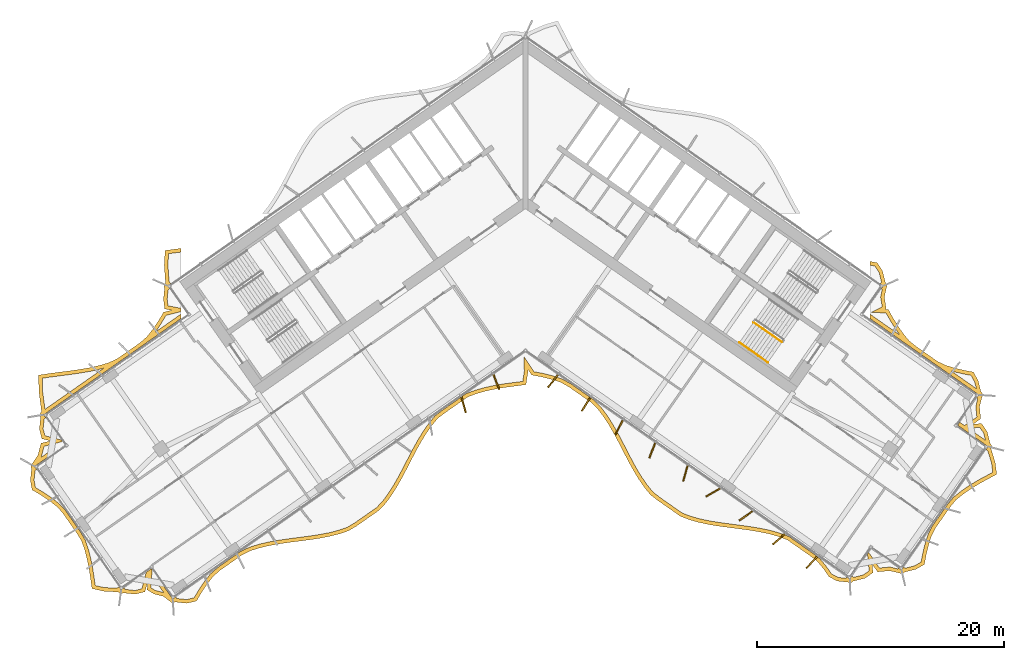
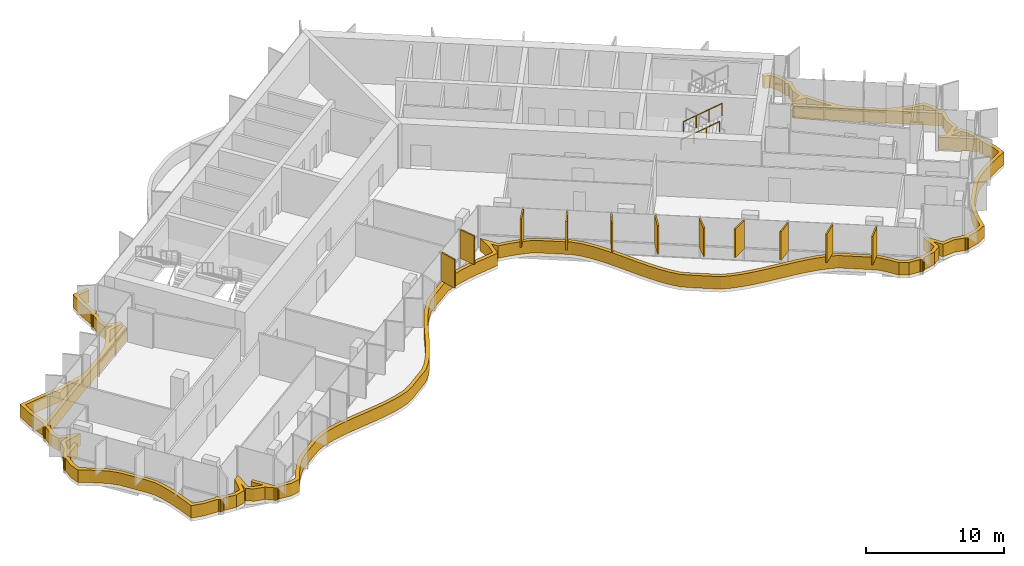
# One storey, part 19 of 21: 12 shading devices, 2 railings.
"""IFC4 building model written with IfcOpenShell, lengths in metres."""

from ifc_helpers import new_model, si_unit, direction, frame, origin, origin_2d, place, context, subcontext, project, spatial, polyline, rectangle, circle, outline, extrude, material, layer, layer_set, type_object, element, save


model = new_model("IFC4")

# Units and contexts
model_context = context("Model", 3, precision=1e-05, world=origin(), true_north=direction((0.0, 1.0)))
body_context = subcontext(model_context, "Body", "Model", "MODEL_VIEW")
ifc_project = project(units=[si_unit("LENGTHUNIT", "METRE"), si_unit("AREAUNIT", "SQUARE_METRE"), si_unit("VOLUMEUNIT", "CUBIC_METRE"), si_unit("PLANEANGLEUNIT", "RADIAN"), si_unit("MASSUNIT", "GRAM", prefix="KILO")], contexts=[model_context])

# Site, building, storey
site_placement = place(None, origin())
site = spatial("IfcSite", under=ifc_project, at=site_placement, CompositionType="ELEMENT")
building_placement = place(site_placement, origin())
building = spatial("IfcBuilding", under=site, at=building_placement, Name="Tel Ilan Convention Tower", CompositionType="ELEMENT")
storey_placement = place(building_placement, frame((0.0, 0.0, 147.60009765625)))
storey = spatial("IfcBuildingStorey", under=building, at=storey_placement, Name="L33", CompositionType="ELEMENT", Elevation=147.60009765625)

# Shading devices
ifc_material_1 = material(Name="Aluminium, bronze anodised", Category="aluminium")
ifc_layer_1 = layer(ifc_material_1, 0.1201171875)
ifc_layer_set_1 = layer_set([ifc_layer_1], Name="FIN BRONZE 1300x120")
shading_device_type_1 = type_object("IfcShadingDeviceType", Name="FIN BRONZE 1300x120", PredefinedType="USERDEFINED", material=ifc_layer_set_1)
for number, where, z_axis, x_axis, name in (
    (1, (-5.004638671875, -17.094482421875, 1.099853515625), (0.0, 0.0, 1.0), (0.268172612768, -0.963370878614, 0.0), "FIN"),
    (2, (-2.35302734375, -15.2529296875, 1.099853515625), (0.0, 0.0, 1.0), (0.360177724803, -0.932883704733, 0.0), "FIN"),
    (3, (2.2255859375, -15.172119140625, 1.099853515625), (0.0, 0.0, 1.0), (-0.612600545196, -0.790392669516, 0.0), "FIN"),
    (4, (4.90234375, -17.04638671875, 1.099853515625), (0.0, 0.0, 1.0), (-0.533204432798, -0.845986425922, 0.0), "FIN"),
    (5, (7.5791015625, -18.920166015625, 1.099853515625), (0.0, 0.0, 1.0), (-0.448799180206, -0.893632640321, 0.0), "FIN"),
    (6, (10.2587890625, -20.78857421875, 1.099853515625), (0.0, 0.0, 1.0), (-0.360177724803, -0.932883704733, 0.0), "FIN"),
    (7, (12.9404296875, -22.651123046875, 1.099853515625), (0.0, 0.0, 1.0), (-0.268172612768, -0.963370878614, 0.0), "FIN"),
    (8, (15.174072265625, -24.192626953125, 1.099853515625), (0.0, 0.0, 1.0), (-0.866025403784, -0.5, 0.0), "FIN"),
    (9, (17.83642578125, -26.079345703125, 1.099853515625), (0.0, 0.0, 1.0), (-0.813552070258, -0.581492071294, 0.0), "FIN"),
    (10, (20.50390625, -27.96240234375, 1.099853515625), (0.0, 0.0, 1.0), (-0.753435896329, -0.657521368568, 0.0), "FIN"),
    (11, (23.176025390625, -29.84130859375, 1.099853515625), (0.0, 0.0, 1.0), (-0.686241637865, -0.727373641577, 0.0), "FIN"),
):
    element("IfcShadingDevice", number, at=place(storey_placement, frame(where, z_axis=z_axis, x_axis=x_axis)), inside=storey, type_object=shading_device_type_1, Name=name, ObjectType="FIN", PredefinedType="USERDEFINED", context=body_context, shape_type="SweptSolid", body=[
        extrude(rectangle(XDim=1.300048828125, YDim=0.1201171875, at=origin_2d()), origin(), (0.0, 0.0, 1.0), 2.52001953125),
    ])
ifc_material_2 = material(Name="Aluminium, bronze anodised", Category="aluminium")
ifc_layer_2 = layer(ifc_material_2, 0.300048828125)
ifc_layer_set_2 = layer_set([ifc_layer_2], Name="LOUVRE BAND 300x1100")
shading_device_type_2 = type_object("IfcShadingDeviceType", Name="LOUVRE BAND 300x1100", PredefinedType="USERDEFINED", material=ifc_layer_set_2)
shading_device_placement = place(storey_placement, origin())
element("IfcShadingDevice", 12, at=shading_device_placement, inside=storey, type_object=shading_device_type_2, Name="LOUVRE BAND 27.01", ObjectType="LOUVRE", PredefinedType="USERDEFINED", context=body_context, shape_type="SweptSolid", body=[
    extrude(outline(polyline([(-40.0625, -23.190673828125), (-39.92822265625, -23.97265625), (-39.250732421875, -24.374267578125), (-38.60546875, -24.798583984375), (-38.006591796875, -25.25537109375), (-37.49755859375, -25.77490234375), (-36.2626953125, -27.53857421875), (-35.8984375, -28.15966796875), (-35.6572265625, -28.86669921875), (-35.46484375, -29.608154296875), (-35.312744140625, -30.377685546875), (-35.189697265625, -31.167724609375), (-35.07666015625, -31.964599609375), (-34.1298828125, -32.177734375), (-32.96484375, -32.238037109375), (-32.93603515625, -32.281494140625), (-32.838623046875, -32.346435546875), (-32.723876953125, -32.369384765625), (-32.609130859375, -32.346435546875), (-32.554931640625, -32.310302734375), (-31.562744140625, -32.420166015625), (-30.788818359375, -32.2177734375), (-30.573974609375, -31.399658203125), (-30.615234375, -32.057861328125), (-30.059814453125, -32.4013671875), (-29.2880859375, -32.593505859375), (-28.79150390625, -32.97802734375), (-28.786865234375, -32.974853515625), (-28.7578125, -33.01806640625), (-28.660400390625, -33.083251953125), (-28.545654296875, -33.10595703125), (-28.430908203125, -33.083251953125), (-28.376953125, -33.047119140625), (-27.396728515625, -33.154296875), (-26.6201171875, -32.970703125), (-26.2060546875, -32.269287109375), (-25.76416015625, -31.607666015625), (-25.286865234375, -30.996826171875), (-24.7294921875, -30.500244140625), (-22.907470703125, -29.224365234375), (-22.2314453125, -28.89697265625), (-21.48779296875, -28.666259765625), (-20.7099609375, -28.484619140625), (-19.905029296875, -28.34130859375), (-19.08251953125, -28.2236328125), (-17.421875, -28.009765625), (-16.60400390625, -27.885009765625), (-15.80712890625, -27.73046875), (-15.039794921875, -27.533935546875), (-14.308837890625, -27.284912109375), (-13.6689453125, -26.906005859375), (-11.846923828125, -25.63037109375), (-11.327880859375, -25.078857421875), (-10.86279296875, -24.4501953125), (-10.43115234375, -23.7744140625), (-10.024658203125, -23.06201171875), (-9.634765625, -22.326171875), (-8.864990234375, -20.84033203125), (-8.46533203125, -20.118408203125), (-8.043212890625, -19.428466796875), (-7.59033203125, -18.782470703125), (-7.10009765625, -18.190185546875), (-6.5087890625, -17.741943359375), (-4.686767578125, -16.466064453125), (-3.97021484375, -16.19677734375), (-3.214599609375, -15.983154296875), (-2.427001953125, -15.8154296875), (-1.615234375, -15.681884765625), (0.04248046875, -15.464111328125), (0.2060546875, -14.405029296875), (0.201416015625, -14.22314453125), (0.51220703125, -14.685546875), (1.31689453125, -14.835693359375), (2.093017578125, -15.0263671875), (2.833251953125, -15.268798828125), (3.490966796875, -15.62890625), (5.322509765625, -16.9111328125), (5.858154296875, -17.445556640625), (6.329833984375, -18.071533203125), (6.76708984375, -18.74658203125), (7.177734375, -19.45947265625), (7.57080078125, -20.197509765625), (8.343994140625, -21.69189453125), (8.744384765625, -22.41943359375), (9.166748046875, -23.11572265625), (9.61962890625, -23.768310546875), (10.110107421875, -24.3671875), (10.698486328125, -24.826171875), (12.530029296875, -26.108642578125), (13.245361328125, -26.386474609375), (14.003662109375, -26.602783203125), (14.794677734375, -26.7724609375), (15.610107421875, -26.9072265625), (18.10791015625, -27.238525390625), (18.924072265625, -27.3720703125), (19.716064453125, -27.54052734375), (20.475830078125, -27.7548828125), (21.19580078125, -28.02587890625), (23.02734375, -29.308349609375), (23.619384765625, -29.76220703125), (24.111328125, -30.35888671875), (24.565673828125, -31.009765625), (25.2314453125, -31.358154296875), (26.083251953125, -31.441162109375), (26.13720703125, -31.47705078125), (26.251953125, -31.5), (26.366943359375, -31.47705078125), (26.464111328125, -31.412109375), (26.4931640625, -31.368896484375), (27.463134765625, -31.132568359375), (28.12109375, -30.677734375), (28.056396484375, -29.976806640625), (28.4951171875, -30.611572265625), (29.47412109375, -30.52099609375), (30.258056640625, -30.708984375), (30.261474609375, -30.704345703125), (30.3154296875, -30.740478515625), (30.43017578125, -30.76318359375), (30.544921875, -30.740478515625), (30.642333984375, -30.67529296875), (30.67138671875, -30.632080078125), (31.5947265625, -30.402587890625), (32.283447265625, -30.0087890625), (32.42919921875, -29.234619140625), (32.607177734375, -28.483154296875), (32.83154296875, -27.764404296875), (33.145751953125, -27.108154296875), (34.380615234375, -25.344482421875), (34.83984375, -24.7900390625), (35.421630859375, -24.3212890625), (36.052734375, -23.88720703125), (36.7236328125, -23.48095703125), (37.423828125, -23.09521484375), (38.134033203125, -22.71630859375), (38.010498046875, -21.753662109375), (37.6689453125, -20.638427734375), (37.705078125, -20.58447265625), (37.727783203125, -20.4697265625), (37.705078125, -20.354736328125), (37.639892578125, -20.257568359375), (37.5966796875, -20.228515625), (37.3603515625, -19.258544921875), (36.905517578125, -18.6005859375), (36.20458984375, -18.665283203125), (36.839599609375, -18.2265625), (36.748779296875, -17.24755859375), (36.936767578125, -16.463623046875), (36.93212890625, -16.460205078125), (36.96826171875, -16.40625), (36.9912109375, -16.29150390625), (36.96826171875, -16.1767578125), (36.9033203125, -16.079345703125), (36.85986328125, -16.05029296875), (36.63134765625, -15.134521484375), (36.246826171875, -14.44140625), (35.47900390625, -14.2958984375), (34.732177734375, -14.1201171875), (34.017333984375, -13.899169921875), (33.361328125, -13.59375), (31.6103515625, -12.36767578125), (31.052978515625, -11.921630859375), (30.5849609375, -11.347900390625), (30.151123046875, -10.72509765625), (29.74560546875, -10.06201171875), (29.356201171875, -9.3759765625), (29.132080078125, -9.36474609375), (29.19384765625, -9.332763671875), (29.044921875, -8.373779296875), (29.20458984375, -7.631103515625), (29.199951171875, -7.6279296875), (29.236083984375, -7.57373046875), (29.2587890625, -7.458984375), (29.236083984375, -7.34423828125), (29.1708984375, -7.246826171875), (29.127685546875, -7.218017578125), (28.894287109375, -6.267333984375), (28.465576171875, -5.595458984375), (27.874755859375, -5.485595703125), (27.874755859375, -5.790771484375), (28.28271484375, -5.86669921875), (28.614990234375, -6.387451171875), (28.806640625, -7.1533203125), (28.713134765625, -7.286865234375), (28.958740234375, -7.458984375), (28.787353515625, -7.705322265625), (28.869384765625, -7.7626953125), (28.73974609375, -8.364990234375), (28.8642578125, -9.165283203125), (28.0048828125, -9.60888671875), (29.1767578125, -9.66748046875), (29.4873046875, -10.21435546875), (29.89990234375, -10.88916015625), (30.281494140625, -11.43701171875), (27.874755859375, -9.751953125), (27.874755859375, -10.1181640625), (36.691162109375, -16.29150390625), (36.51904296875, -16.537109375), (36.597412109375, -16.592041015625), (36.445556640625, -17.225830078125), (36.524658203125, -18.07958984375), (35.524658203125, -18.770751953125), (35.142578125, -18.503173828125), (34.970458984375, -18.748779296875), (37.427734375, -20.4697265625), (37.255859375, -20.71533203125), (37.41650390625, -20.827880859375), (37.716064453125, -21.816650390625), (37.810302734375, -22.549072265625), (36.573486328125, -23.22119140625), (35.889892578125, -23.635009765625), (35.2421875, -24.08056640625), (34.6279296875, -24.575439453125), (34.141845703125, -25.16259765625), (32.8857421875, -26.956298828125), (32.551513671875, -27.654296875), (32.317626953125, -28.40380859375), (32.1357421875, -29.17236328125), (32.014404296875, -29.817138671875), (31.481201171875, -30.121826171875), (30.7353515625, -30.310791015625), (30.602294921875, -30.217529296875), (30.43017578125, -30.46337890625), (30.18408203125, -30.291748046875), (30.129638671875, -30.36962890625), (29.495849609375, -30.2177734375), (28.64208984375, -30.296875), (27.76904296875, -29.03369140625), (27.679443359375, -29.161376953125), (27.806396484375, -30.530517578125), (27.337646484375, -30.8544921875), (26.55810546875, -31.048095703125), (26.424072265625, -30.954345703125), (26.251953125, -31.199951171875), (26.005859375, -31.028564453125), (25.935302734375, -31.129150390625), (25.319580078125, -31.065673828125), (24.76953125, -30.77783203125), (24.3505859375, -30.177490234375), (23.8291015625, -29.544921875), (23.204833984375, -29.06640625), (21.3369140625, -27.758544921875), (20.569580078125, -27.469482421875), (19.7880859375, -27.2490234375), (18.9794921875, -27.077392578125), (18.15234375, -26.941650390625), (15.65478515625, -26.610595703125), (14.8505859375, -26.477783203125), (14.076416015625, -26.3115234375), (13.341064453125, -26.101806640625), (12.67236328125, -25.842041015625), (10.876953125, -24.5849609375), (10.321044921875, -24.1513671875), (9.859375, -23.58740234375), (9.41845703125, -22.9521484375), (9.004150390625, -22.269287109375), (8.608642578125, -21.55029296875), (7.83642578125, -20.058349609375), (7.440185546875, -19.31396484375), (7.02294921875, -18.590087890625), (6.575927734375, -17.8994140625), (6.085205078125, -17.248046875), (5.515869140625, -16.680419921875), (3.649658203125, -15.37353515625), (2.953125, -14.9921875), (2.17578125, -14.73779296875), (1.380126953125, -14.542236328125), (0.69091796875, -14.41357421875), (-0.12451171875, -13.200439453125), (-0.0947265625, -14.3857421875), (-0.219482421875, -15.19482421875), (-1.659912109375, -15.38525390625), (-2.482666015625, -15.5205078125), (-3.286865234375, -15.691650390625), (-4.06396484375, -15.911376953125), (-4.827880859375, -16.198486328125), (-6.685546875, -17.49951171875), (-7.308837890625, -17.97216796875), (-7.8291015625, -18.6005859375), (-8.294189453125, -19.263916015625), (-8.724609375, -19.96728515625), (-9.12939453125, -20.6982421875), (-9.900634765625, -22.1875), (-10.28759765625, -22.91748046875), (-10.68798828125, -23.619140625), (-11.110107421875, -24.280029296875), (-11.55859375, -24.88623046875), (-12.044189453125, -25.40234375), (-13.831787109375, -26.65380859375), (-14.43505859375, -27.010986328125), (-15.12548828125, -27.24609375), (-15.873046875, -27.437744140625), (-16.6552734375, -27.58935546875), (-17.4638671875, -27.712646484375), (-19.12255859375, -27.92626953125), (-19.95263671875, -28.045166015625), (-20.770263671875, -28.190673828125), (-21.56640625, -28.376708984375), (-22.341796875, -28.6171875), (-23.059814453125, -28.96484375), (-24.916015625, -30.264404296875), (-25.506591796875, -30.790771484375), (-26.007568359375, -31.431884765625), (-26.460205078125, -32.109619140625), (-26.8134765625, -32.708251953125), (-27.416015625, -32.8505859375), (-28.206298828125, -32.767578125), (-28.2998046875, -32.634033203125), (-28.545654296875, -32.805908203125), (-29.57861328125, -31.3310546875), (-29.82421875, -31.5029296875), (-29.27490234375, -32.28759765625), (-29.94189453125, -32.12158203125), (-30.3046875, -31.897216796875), (-30.21240234375, -30.42578125), (-30.266357421875, -30.3486328125), (-30.685302734375, -30.641845703125), (-31.034423828125, -31.971923828125), (-31.58544921875, -32.115966796875), (-32.38427734375, -32.03125), (-32.4775390625, -31.89794921875), (-32.723876953125, -32.0693359375), (-32.89599609375, -31.823486328125), (-33.056640625, -31.93603515625), (-34.08837890625, -31.87939453125), (-34.80859375, -31.71728515625), (-35.017333984375, -30.325439453125), (-35.17236328125, -29.54150390625), (-35.36962890625, -28.780517578125), (-35.624267578125, -28.033935546875), (-36.010009765625, -27.376220703125), (-37.265869140625, -25.58251953125), (-37.807373046875, -25.02978515625), (-38.431884765625, -24.5537109375), (-39.091796875, -24.119873046875), (-39.656005859375, -23.78515625), (-39.760009765625, -23.18017578125), (-39.6826171875, -22.41455078125), (-39.54931640625, -22.3212890625), (-39.721435546875, -22.07568359375), (-38.288330078125, -21.072021484375), (-38.460205078125, -20.826416015625), (-39.223388671875, -21.360595703125), (-39.171142578125, -21.28173828125), (-38.953369140625, -20.452392578125), (-37.4677734375, -20.06396484375), (-37.557373046875, -19.93603515625), (-38.88720703125, -19.5869140625), (-39.031494140625, -19.035888671875), (-38.946533203125, -18.237060546875), (-38.812744140625, -18.143310546875), (-38.98486328125, -17.8974609375), (-27.874755859375, -10.1181640625), (-27.874755859375, -9.751953125), (-29.952392578125, -11.20654296875), (-29.906005859375, -11.14794921875), (-29.44873046875, -10.4658203125), (-29.09033203125, -9.859375), (-27.874755859375, -9.551025390625), (-27.874755859375, -9.287353515625), (-28.923828125, -9.080322265625), (-28.992431640625, -8.5439453125), (-28.91943359375, -7.797607421875), (-28.787353515625, -7.705322265625), (-28.958740234375, -7.458984375), (-28.713134765625, -7.286865234375), (-28.83740234375, -7.109375), (-28.93115234375, -5.783447265625), (-28.876953125, -4.86572265625), (-27.874755859375, -4.735107421875), (-27.874755859375, -4.4326171875), (-29.161865234375, -4.60107421875), (-29.231689453125, -5.78515625), (-29.127685546875, -7.218017578125), (-29.1708984375, -7.246826171875), (-29.236083984375, -7.34423828125), (-29.2587890625, -7.458984375), (-29.236083984375, -7.57373046875), (-29.199951171875, -7.6279296875), (-29.29443359375, -8.548583984375), (-29.19384765625, -9.332763671875), (-28.654541015625, -9.439208984375), (-29.284912109375, -9.59912109375), (-29.70263671875, -10.305908203125), (-30.14892578125, -10.971435546875), (-30.631591796875, -11.5849609375), (-31.197998046875, -12.078857421875), (-33.03466796875, -13.364990234375), (-33.72509765625, -13.68212890625), (-34.477783203125, -13.91015625), (-35.2646484375, -14.089111328125), (-36.078125, -14.23046875), (-36.90869140625, -14.34716796875), (-38.58203125, -14.563720703125), (-39.404052734375, -14.692626953125), (-39.369873046875, -16.044677734375), (-39.153564453125, -17.656494140625), (-39.19677734375, -17.685302734375), (-39.261962890625, -17.78271484375), (-39.28466796875, -17.8974609375), (-39.261962890625, -18.01220703125), (-39.225830078125, -18.066162109375), (-39.33544921875, -19.05859375), (-39.133056640625, -19.83251953125), (-38.452392578125, -20.01123046875), (-39.19921875, -20.20654296875), (-39.44873046875, -21.157470703125), (-39.8935546875, -21.829833984375), (-39.890380859375, -21.83447265625), (-39.93359375, -21.863525390625), (-39.99853515625, -21.9609375), (-40.021484375, -22.07568359375), (-39.99853515625, -22.1904296875), (-39.962646484375, -22.244384765625), (-40.0625, -23.190673828125)]), holes=[polyline([(36.758544921875, -18.915283203125), (37.082275390625, -19.384033203125), (37.225830078125, -19.9619140625), (35.85107421875, -18.999267578125), (36.758544921875, -18.915283203125)]), polyline([(34.4267578125, -14.33984375), (34.653564453125, -14.409912109375), (35.416748046875, -14.58935546875), (36.052734375, -14.7099609375), (36.35009765625, -15.24609375), (36.486572265625, -15.781982421875), (34.4267578125, -14.33984375)]), polyline([(-35.205810546875, -14.383544921875), (-34.40087890625, -14.200439453125), (-34.095703125, -14.10791015625), (-38.8798828125, -17.457763671875), (-39.0703125, -16.02099609375), (-39.097412109375, -14.9482421875), (-38.5390625, -14.860595703125), (-36.869140625, -14.64453125), (-36.031494140625, -14.52685546875), (-35.205810546875, -14.383544921875)])]), origin(), (0.0, 0.0, 1.0), 1.099853515625),
])

# Railings
ifc_material_3 = material(Name="Stainless Steel Grade 316", Category="steel")
railing_type_1 = type_object("IfcRailingType", Name="Stainless Steel Stair Guard 1100 mm", PredefinedType="GUARDRAIL", material=ifc_material_3)
railing_1_placement = place(storey_placement, frame((18.4599609375, -10.423095703125, 2.127197265625)))
element("IfcRailing", 13, at=railing_1_placement, inside=storey, type_object=railing_type_1, Name="L33 S4 stair guard 3", PredefinedType="GUARDRAIL", context=body_context, shape_type="SweptSolid", body=[
    extrude(circle(Radius=0.02392578125, at=origin_2d()), frame((0.0, 0.0, 1.076171875), z_axis=(0.692098378994, -0.484653031975, 0.534893701956), x_axis=(0.573608623498, 0.819129505664, 0.0)), (0.0, 0.0, 1.0), 3.314208984375),
    extrude(circle(Radius=0.02099609375, at=origin_2d()), origin(), (0.0, 0.0, 1.0), 1.052001953125),
    extrude(circle(Radius=0.02099609375, at=origin_2d()), frame((0.7646484375, -0.535400390625, 0.5908203125)), (0.0, 0.0, 1.0), 1.052001953125),
    extrude(circle(Radius=0.02099609375, at=origin_2d()), frame((1.529052734375, -1.07080078125, 1.181884765625)), (0.0, 0.0, 1.0), 1.052001953125),
    extrude(circle(Radius=0.02099609375, at=origin_2d()), frame((2.293701171875, -1.606201171875, 1.772705078125)), (0.0, 0.0, 1.0), 1.052001953125),
])
ifc_material_4 = material(Name="Stainless Steel Grade 316", Category="steel")
railing_type_2 = type_object("IfcRailingType", Name="Stainless Steel Stair Handrail 900 mm", PredefinedType="HANDRAIL", material=ifc_material_4)
railing_2_placement = place(storey_placement, frame((17.312744140625, -12.0615234375, 2.127197265625)))
element("IfcRailing", 14, at=railing_2_placement, inside=storey, type_object=railing_type_2, Name="L33 S4 stair handrail 2", PredefinedType="HANDRAIL", context=body_context, shape_type="SweptSolid", body=[
    extrude(circle(Radius=0.02392578125, at=origin_2d()), frame((0.0, 0.0, 0.8759765625), z_axis=(0.692123088272, -0.484596665743, 0.534912798717), x_axis=(0.573550118428, 0.819170471667, 0.0)), (0.0, 0.0, 1.0), 3.31396484375),
    extrude(circle(Radius=0.02099609375, at=origin_2d()), origin(), (0.0, 0.0, 1.0), 0.851806640625),
    extrude(circle(Radius=0.02099609375, at=origin_2d()), frame((0.7646484375, -0.535400390625, 0.5908203125)), (0.0, 0.0, 1.0), 0.851806640625),
    extrude(circle(Radius=0.02099609375, at=origin_2d()), frame((1.529052734375, -1.070556640625, 1.181884765625)), (0.0, 0.0, 1.0), 0.851806640625),
    extrude(circle(Radius=0.02099609375, at=origin_2d()), frame((2.293701171875, -1.60595703125, 1.772705078125)), (0.0, 0.0, 1.0), 0.851806640625),
])

save(model, "model.ifc")
